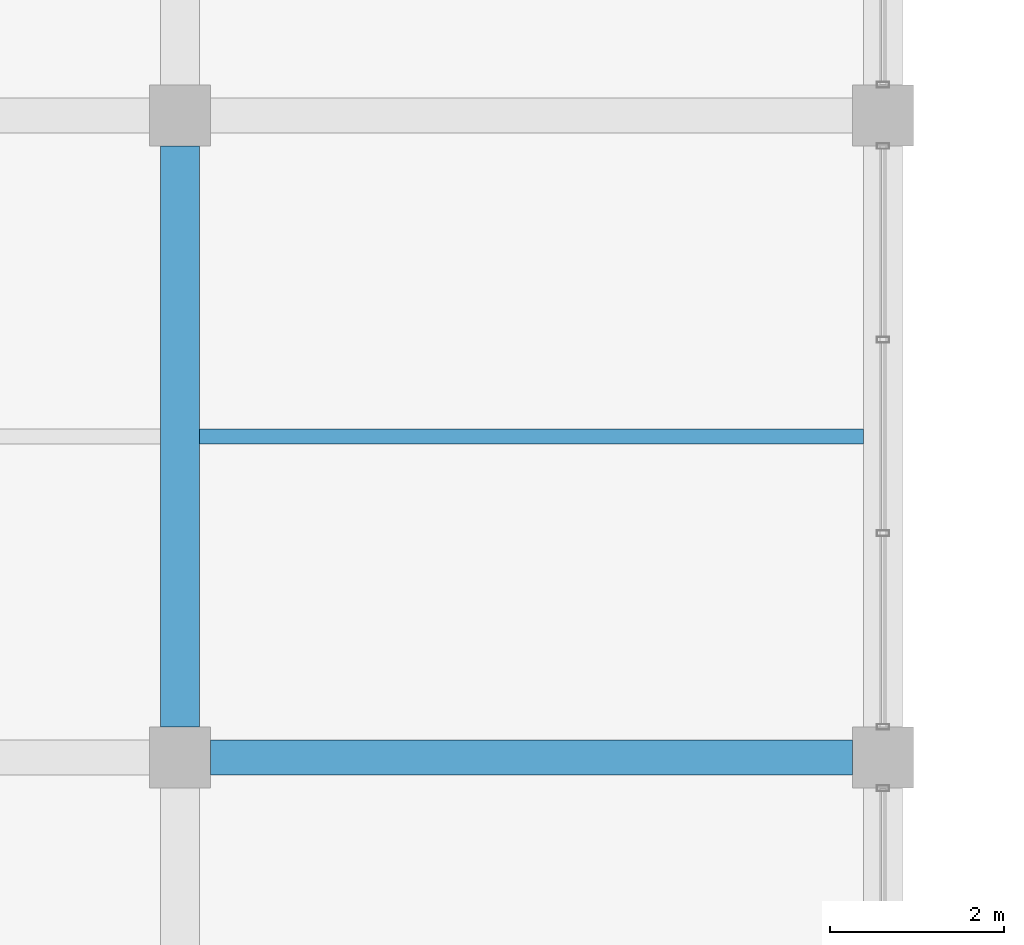
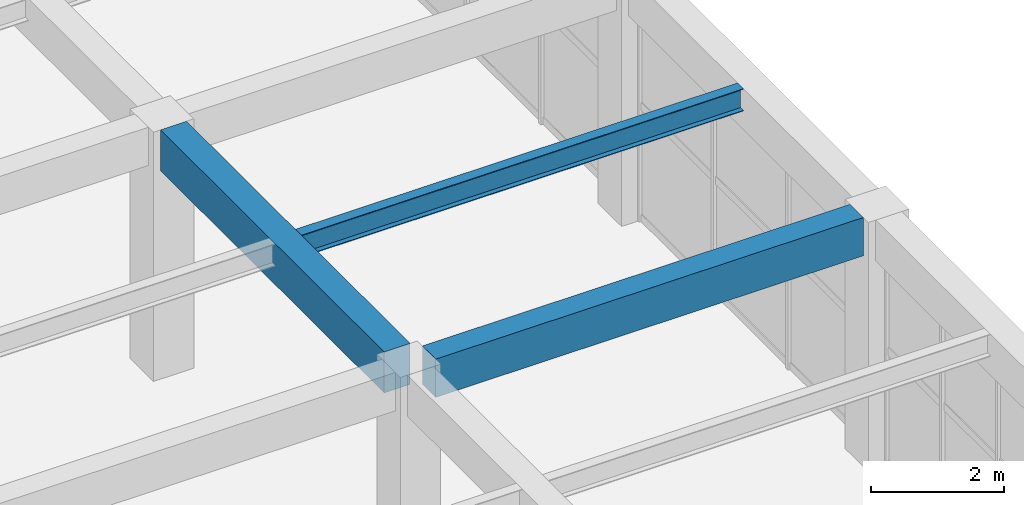
# One storey, part 77 of 161: 3 beams.
"""IFC4 building model written with IfcOpenShell, lengths in metres."""

from ifc_helpers import new_model, si_unit, direction, frame, origin, origin_2d, place, context, subcontext, project, spatial, rectangle, i_section, extrude, material, material_profile, profile_set, type_object, element, save


model = new_model("IFC4")

# Units and contexts
model_context = context("Model", 3, precision=1e-05, world=origin(), true_north=direction((0.0, 1.0)))
body_context = subcontext(model_context, "Body", "Model", "MODEL_VIEW")
ifc_project = project(units=[si_unit("LENGTHUNIT", "METRE"), si_unit("AREAUNIT", "SQUARE_METRE"), si_unit("VOLUMEUNIT", "CUBIC_METRE"), si_unit("PLANEANGLEUNIT", "RADIAN"), si_unit("MASSUNIT", "GRAM", prefix="KILO")], contexts=[model_context])

# Site, building, storey
site_placement = place(None, origin())
site = spatial("IfcSite", under=ifc_project, at=site_placement, CompositionType="ELEMENT")
building_placement = place(site_placement, origin())
building = spatial("IfcBuilding", under=site, at=building_placement, Name="Cimatlan Art Gallery", CompositionType="ELEMENT")
storey_placement = place(building_placement, frame((0.0, 0.0, 5.39990234375)))
storey = spatial("IfcBuildingStorey", under=building, at=storey_placement, Name="L01", CompositionType="ELEMENT", Elevation=5.39990234375)

# Beams
ifc_material_1 = material(Name="Concrete C40/50", Category="concrete")
ifc_material_profile_1 = material_profile(ifc_material_1, rectangle(XDim=0.39990234375, YDim=0.699951171875, at=origin_2d()), Name="RC400X700")
ifc_profile_set_1 = profile_set([ifc_material_profile_1], Name="Concrete C40/50")
beam_type_1 = type_object("IfcBeamType", Name="BM-RC-400X700", PredefinedType="BEAM", material=ifc_profile_set_1)
beam_1_placement = place(storey_placement, frame((42.85009765625, 83.10009765625, 4.210205078125), z_axis=(1.0, 0.0, 0.0), x_axis=(0.0, 1.0, 0.0)))
element("IfcBeam", 1, at=beam_1_placement, inside=storey, type_object=beam_type_1, Name="BM-X-L01-05-11", PredefinedType="BEAM", context=body_context, shape_type="SweptSolid", body=[
    extrude(rectangle(XDim=0.39990234375, YDim=0.699951171875, at=origin_2d()), origin(), (0.0, 0.0, 1.0), 7.39990234375),
])
ifc_material_profile_2 = material_profile(ifc_material_1, rectangle(XDim=0.449951171875, YDim=0.75, at=origin_2d()), Name="RC450X750")
ifc_profile_set_2 = profile_set([ifc_material_profile_2], Name="Concrete C40/50")
beam_type_2 = type_object("IfcBeamType", Name="BM-RC-450X750", PredefinedType="BEAM", material=ifc_profile_set_2)
beam_2_placement = place(storey_placement, frame((42.5, 83.449951171875, 4.18505859375), z_axis=(0.0, 1.0, 0.0), x_axis=(-1.0, 0.0, 0.0)))
element("IfcBeam", 2, at=beam_2_placement, inside=storey, type_object=beam_type_2, Name="BM-Y-L01-05-11", PredefinedType="BEAM", context=body_context, shape_type="SweptSolid", body=[
    extrude(rectangle(XDim=0.449951171875, YDim=0.75, at=origin_2d()), origin(), (0.0, 0.0, 1.0), 6.699951171875),
])
ifc_material_2 = material(Name="Steel ASTM A992 Grade 50", Category="steel")
ifc_material_profile_3 = material_profile(ifc_material_2, i_section(OverallWidth=0.177978515625, OverallDepth=0.406982421875, WebThickness=0.0078125, FlangeThickness=0.0126953125, at=origin_2d()), Name="W16X40")
ifc_profile_set_3 = profile_set([ifc_material_profile_3], Name="Steel ASTM A992 Grade 50")
beam_type_3 = type_object("IfcBeamType", Name="BM-STL-W16X40", PredefinedType="JOIST", material=ifc_profile_set_3)
beam_3_placement = place(storey_placement, frame((42.72509765625, 86.800048828125, 4.356689453125), z_axis=(1.0, 0.0, 0.0), x_axis=(0.0, 1.0, 0.0)))
element("IfcBeam", 3, at=beam_3_placement, inside=storey, type_object=beam_type_3, Name="JST-L01-05-11", PredefinedType="JOIST", context=body_context, shape_type="SweptSolid", body=[
    extrude(i_section(OverallWidth=0.177978515625, OverallDepth=0.406982421875, WebThickness=0.0078125, FlangeThickness=0.0126953125, at=origin_2d()), origin(), (0.0, 0.0, 1.0), 7.64990234375),
])

save(model, "model.ifc")
